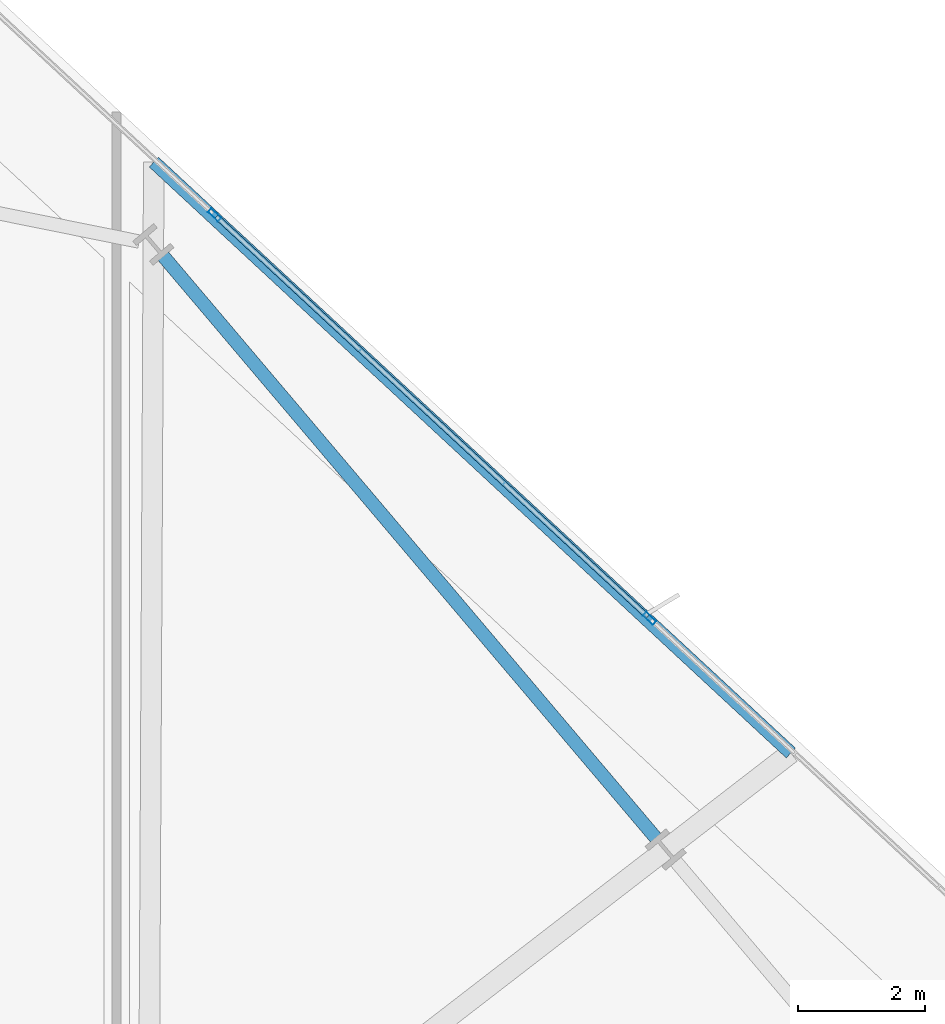
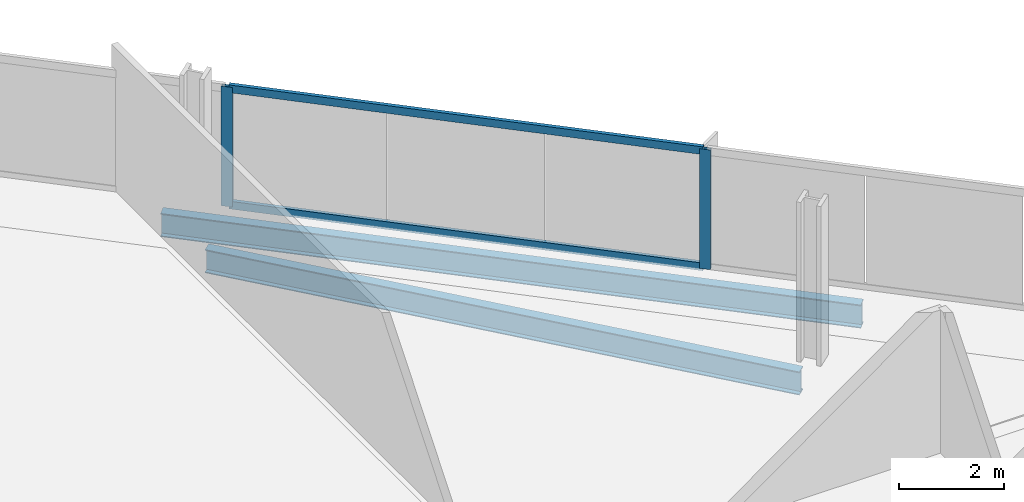
# One storey, part 21 of 32: 4 members, 2 beams, 1 element without a shape of its own.
"""IFC4 building model written with IfcOpenShell, lengths in metres."""

from ifc_helpers import new_model, si_unit, direction, frame, origin, origin_2d, place, context, subcontext, project, spatial, hollow_rectangle, i_section, extrude, material, material_profile, profile_set, type_object, element, aggregate, save


model = new_model("IFC4")

# Units and contexts
model_context = context("Model", 3, precision=1e-05, world=origin(), true_north=direction((0.0, 1.0)))
body_context = subcontext(model_context, "Body", "Model", "MODEL_VIEW")
ifc_project = project(units=[si_unit("LENGTHUNIT", "METRE"), si_unit("AREAUNIT", "SQUARE_METRE"), si_unit("VOLUMEUNIT", "CUBIC_METRE"), si_unit("PLANEANGLEUNIT", "RADIAN"), si_unit("MASSUNIT", "GRAM", prefix="KILO")], contexts=[model_context])

# Site, building, storey
site_placement = place(None, origin())
site = spatial("IfcSite", under=ifc_project, at=site_placement, CompositionType="ELEMENT")
building_placement = place(site_placement, origin())
building = spatial("IfcBuilding", under=site, at=building_placement, Name="Haldenkirk Collegiate Tower", CompositionType="ELEMENT")
storey_placement = place(building_placement, frame((0.0, 0.0, 185.699951171875)))
storey = spatial("IfcBuildingStorey", under=building, at=storey_placement, Name="L46", CompositionType="ELEMENT", Elevation=185.699951171875)

# Beams
ifc_material_1 = material(Name="Steel ASTM A992 Grade 50", Category="steel")
ifc_material_profile_1 = material_profile(ifc_material_1, i_section(OverallWidth=0.2119140625, OverallDepth=0.5439453125, WebThickness=0.01318359375, FlangeThickness=0.021240234375, at=origin_2d()), Name="W21X83")
ifc_profile_set_1 = profile_set([ifc_material_profile_1], Name="Steel ASTM A992 Grade 50")
beam_type = type_object("IfcBeamType", Name="BM-SPANDREL-W21X83", PredefinedType="SPANDREL", material=ifc_profile_set_1)
beam_1_placement = place(storey_placement, frame((53.023193359375, 40.482177734375, -0.56201171875), z_axis=(-0.646126367676, 0.763230448157, 0.0), x_axis=(-0.763230448157, -0.646126367676, 0.0)))
element("IfcBeam", 1, at=beam_1_placement, inside=storey, type_object=beam_type, Name="L46 perimeter spandrel beam 07", PredefinedType="SPANDREL", context=body_context, shape_type="SweptSolid", body=[
    extrude(i_section(OverallWidth=0.2119140625, OverallDepth=0.5439453125, WebThickness=0.01318359375, FlangeThickness=0.021240234375, at=origin_2d()), origin(), (0.0, 0.0, 1.0), 12.06494140625),
])
beam_2_placement = place(storey_placement, frame((55.14794921875, 41.8330078125, -0.56201171875), z_axis=(-0.733133005582, 0.680085285921, 0.0), x_axis=(-0.680085285921, -0.733133005582, 0.0)))
element("IfcBeam", 2, at=beam_2_placement, inside=storey, type_object=beam_type, Name="L46 outer facade edge beam 2", PredefinedType="SPANDREL", context=body_context, shape_type="SweptSolid", body=[
    extrude(i_section(OverallWidth=0.2119140625, OverallDepth=0.5439453125, WebThickness=0.01318359375, FlangeThickness=0.021240234375, at=origin_2d()), origin(), (0.0, 0.0, 1.0), 13.72412109375),
])

# Curtain wall, members
ifc_material_2 = material(Name="Anodised architectural bronze aluminium", Category="aluminium")
curtain_wall_type = type_object("IfcCurtainWallType", Name="CW-SYS1-CONVEX-LOW", PredefinedType="USERDEFINED", material=ifc_material_2)
curtain_wall_placement = place(storey_placement, origin())
curtain_wall = element("IfcCurtainWall", 3, at=curtain_wall_placement, inside=storey, type_object=curtain_wall_type, Name="L46 Lower tower convex bronze-framed unitised curtain wall", ObjectType="UNITISED CURTAIN WALL", PredefinedType="USERDEFINED")
ifc_material_profile_2 = material_profile(ifc_material_2, hollow_rectangle(XDim=0.080078125, YDim=0.219970703125, WallThickness=0.0048828125, at=origin_2d()), Name="CW-MUL-1A")
ifc_profile_set_2 = profile_set([ifc_material_profile_2], Name="Anodised architectural bronze aluminium")
member_type_1 = type_object("IfcMemberType", Name="CW-MUL-1A", PredefinedType="MULLION", material=ifc_profile_set_2)
member_1_placement = place(storey_placement, frame((46.04638671875, 50.330322265625, 0.0), z_axis=(0.0, 0.0, 1.0), x_axis=(0.680079272169, 0.733138584148, 0.0)))
member_1 = element("IfcMember", 4, at=member_1_placement, type_object=member_type_1, Name="CW-1A mullion 2", PredefinedType="MULLION", context=body_context, shape_type="SweptSolid", body=[
    extrude(hollow_rectangle(XDim=0.080078125, YDim=0.219970703125, WallThickness=0.0048828125, at=origin_2d()), origin(), (0.0, 0.0, 1.0), 2.791015625),
])
member_2_placement = place(storey_placement, frame((52.9150390625, 43.958984375, 0.0), z_axis=(0.0, 0.0, 1.0), x_axis=(0.680079272169, 0.733138584148, 0.0)))
member_2 = element("IfcMember", 5, at=member_2_placement, type_object=member_type_1, Name="CW-1A mullion 3", PredefinedType="MULLION", context=body_context, shape_type="SweptSolid", body=[
    extrude(hollow_rectangle(XDim=0.080078125, YDim=0.219970703125, WallThickness=0.0048828125, at=origin_2d()), origin(), (0.0, 0.0, 1.0), 2.791015625),
])
ifc_material_profile_3 = material_profile(ifc_material_2, hollow_rectangle(XDim=0.080078125, YDim=0.179931640625, WallThickness=0.0048828125, at=origin_2d()), Name="CW-TRN-1A")
ifc_profile_set_3 = profile_set([ifc_material_profile_3], Name="Anodised architectural bronze aluminium")
member_type_2 = type_object("IfcMemberType", Name="CW-TRN-1A", PredefinedType="USERDEFINED", material=ifc_profile_set_3)
member_3_placement = place(storey_placement, frame((46.075927734375, 50.30322265625, 0.0400390625), z_axis=(0.733129472748, -0.680089094302, 0.0), x_axis=(0.680089094302, 0.733129472748, 0.0)))
member_3 = element("IfcMember", 6, at=member_3_placement, type_object=member_type_2, Name="CW-1A transom 2.1", ObjectType="TRANSOM", PredefinedType="USERDEFINED", context=body_context, shape_type="SweptSolid", body=[
    extrude(hollow_rectangle(XDim=0.080078125, YDim=0.179931640625, WallThickness=0.0048828125, at=origin_2d()), origin(), (0.0, 0.0, 1.0), 9.28857421875),
])
member_4_placement = place(storey_placement, frame((46.075927734375, 50.30322265625, 2.7509765625), z_axis=(0.733129472748, -0.680089094302, 0.0), x_axis=(0.680089094302, 0.733129472748, 0.0)))
member_4 = element("IfcMember", 7, at=member_4_placement, type_object=member_type_2, Name="CW-1A transom 2.2", ObjectType="TRANSOM", PredefinedType="USERDEFINED", context=body_context, shape_type="SweptSolid", body=[
    extrude(hollow_rectangle(XDim=0.080078125, YDim=0.179931640625, WallThickness=0.0048828125, at=origin_2d()), origin(), (0.0, 0.0, 1.0), 9.28857421875),
])
aggregate(curtain_wall, [member_1, member_2, member_3, member_4])

save(model, "model.ifc")
